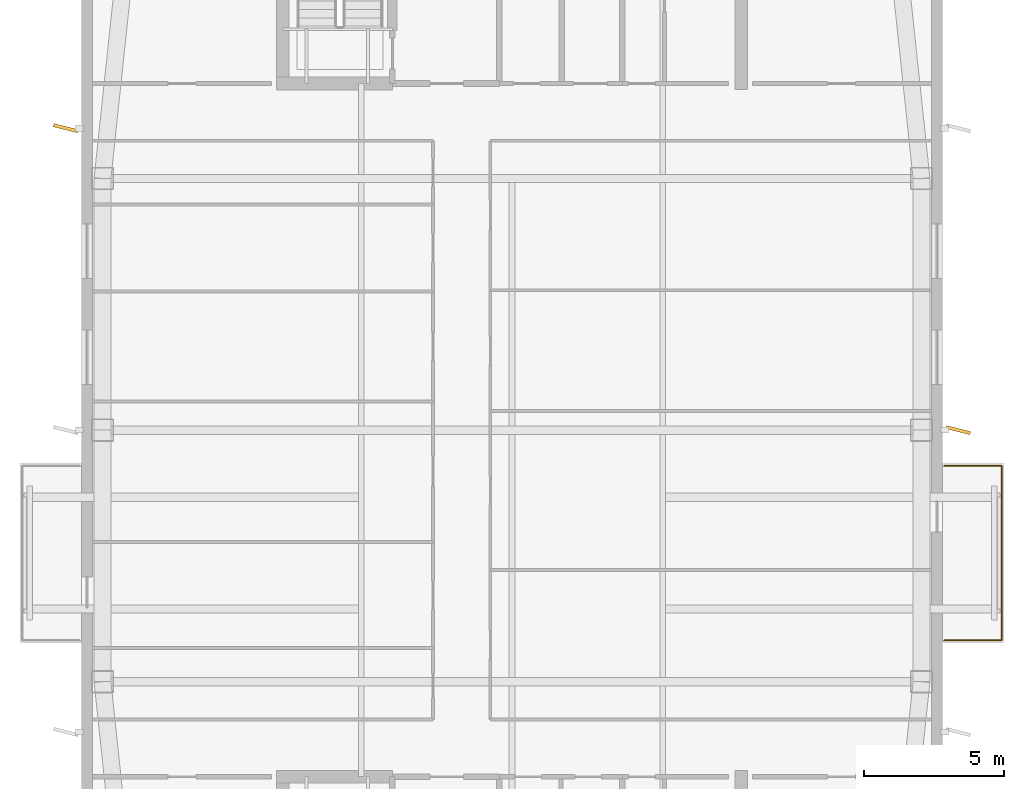
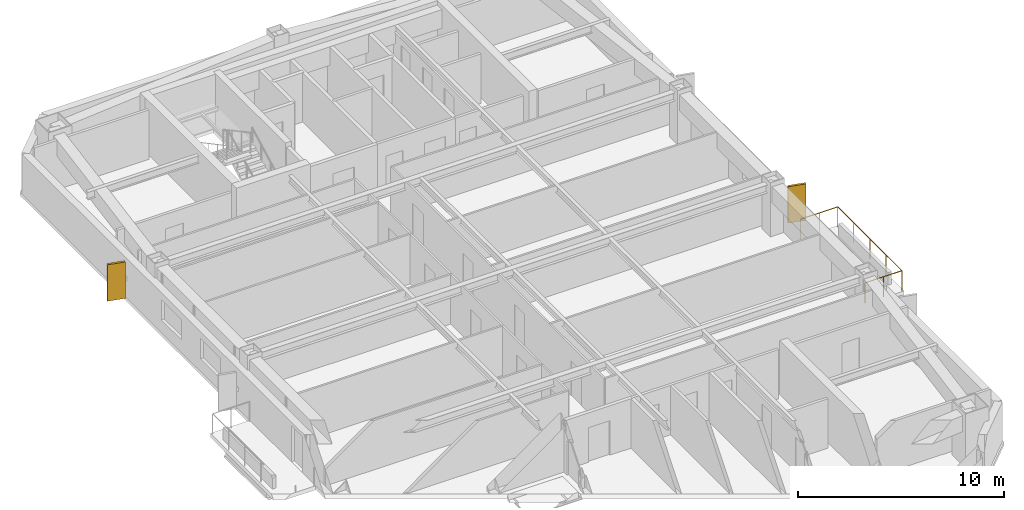
# One storey, part 6 of 7: 2 shading devices, 1 railing.
"""IFC4 building model written with IfcOpenShell, lengths in metres."""

from ifc_helpers import new_model, si_unit, direction, frame, origin, origin_2d, place, context, subcontext, project, spatial, rectangle, circle, extrude, material, layer, layer_set, type_object, element, save


model = new_model("IFC4")

# Units and contexts
model_context = context("Model", 3, precision=1e-05, world=origin(), true_north=direction((0.0, 1.0)))
body_context = subcontext(model_context, "Body", "Model", "MODEL_VIEW")
ifc_project = project(units=[si_unit("LENGTHUNIT", "METRE"), si_unit("AREAUNIT", "SQUARE_METRE"), si_unit("VOLUMEUNIT", "CUBIC_METRE"), si_unit("PLANEANGLEUNIT", "RADIAN"), si_unit("MASSUNIT", "GRAM", prefix="KILO")], contexts=[model_context])

# Site, building, storey
site_placement = place(None, origin())
site = spatial("IfcSite", under=ifc_project, at=site_placement, CompositionType="ELEMENT")
building_placement = place(site_placement, origin())
building = spatial("IfcBuilding", under=site, at=building_placement, Name="Qiaolan Cultural Towers", CompositionType="ELEMENT")
storey_placement = place(building_placement, frame((0.0, 0.0, 256.800048828125)))
storey = spatial("IfcBuildingStorey", under=building, at=storey_placement, Name="L70", CompositionType="ELEMENT", Elevation=256.800048828125)

# Railing
ifc_material_1 = material(Name="Laminated SentryGlas & Stainless Steel S31608 Balustrade", Category="steel")
railing_type = type_object("IfcRailingType", Name="GRD-TERR-1200", PredefinedType="BALUSTRADE", material=ifc_material_1)
railing_placement = place(storey_placement, frame((45.449951171875, 26.47998046875, 0.0)))
element("IfcRailing", 1, at=railing_placement, inside=storey, type_object=railing_type, Name="L70 T1 Tree Balcony Guardrail E", PredefinedType="BALUSTRADE", context=body_context, shape_type="SweptSolid", body=[
    extrude(circle(Radius=0.02392578125, at=origin_2d()), frame((0.0, 0.0, 1.17578125), z_axis=(1.0, 0.0, 0.0), x_axis=(0.0, 1.0, 0.0)), (0.0, 0.0, 1.0), 2.070068359375),
    extrude(circle(Radius=0.02392578125, at=origin_2d()), frame((2.070068359375, 0.0, 1.17578125), z_axis=(0.0, 1.0, 0.0), x_axis=(-1.0, 0.0, 0.0)), (0.0, 0.0, 1.0), 6.239990234375),
    extrude(circle(Radius=0.02392578125, at=origin_2d()), frame((2.070068359375, 6.239990234375, 1.17578125), z_axis=(-1.0, 0.0, 0.0), x_axis=(0.0, -1.0, 0.0)), (0.0, 0.0, 1.0), 2.070068359375),
    extrude(circle(Radius=0.02099609375, at=origin_2d()), origin(), (0.0, 0.0, 1.0), 1.15185546875),
    extrude(circle(Radius=0.02099609375, at=origin_2d()), frame((1.03515625, 0.0, 0.0)), (0.0, 0.0, 1.0), 1.15185546875),
    extrude(circle(Radius=0.02099609375, at=origin_2d()), frame((2.070068359375, 0.0, 0.0)), (0.0, 0.0, 1.0), 1.15185546875),
    extrude(circle(Radius=0.02099609375, at=origin_2d()), frame((2.070068359375, 1.56005859375, 0.0)), (0.0, 0.0, 1.0), 1.15185546875),
    extrude(circle(Radius=0.02099609375, at=origin_2d()), frame((2.070068359375, 3.1201171875, 0.0)), (0.0, 0.0, 1.0), 1.15185546875),
    extrude(circle(Radius=0.02099609375, at=origin_2d()), frame((2.070068359375, 4.679931640625, 0.0)), (0.0, 0.0, 1.0), 1.15185546875),
    extrude(circle(Radius=0.02099609375, at=origin_2d()), frame((2.070068359375, 6.239990234375, 0.0)), (0.0, 0.0, 1.0), 1.15185546875),
    extrude(circle(Radius=0.02099609375, at=origin_2d()), frame((1.03515625, 6.239990234375, 0.0)), (0.0, 0.0, 1.0), 1.15185546875),
    extrude(circle(Radius=0.02099609375, at=origin_2d()), frame((0.0, 6.239990234375, 0.0)), (0.0, 0.0, 1.0), 1.15185546875),
])

# Shading devices
ifc_material_2 = material(Name="Light Limestone Precast Vertical Fin", Category="masonry")
ifc_layer = layer(ifc_material_2, 0.1201171875)
ifc_layer_set = layer_set([ifc_layer], Name="Light Limestone Precast Vertical Fin")
shading_device_type = type_object("IfcShadingDeviceType", Name="SHD-FIN-WHITE", PredefinedType="USERDEFINED", material=ifc_layer_set)
for number, where, z_axis, x_axis, name in (
    (2, (14.0400390625, 44.800048828125, 0.10009765625), (0.0, 0.0, 1.0), (0.969891617581, -0.243536958479, 0.0), "L70 T1 Expressive Precast Vertical Fin W3"),
    (3, (45.9599609375, 34.0, 0.10009765625), (0.0, 0.0, 1.0), (0.969891617581, -0.243536958479, 0.0), "L70 T1 Expressive Precast Vertical Fin E2"),
):
    element("IfcShadingDevice", number, at=place(storey_placement, frame(where, z_axis=z_axis, x_axis=x_axis)), inside=storey, type_object=shading_device_type, Name=name, ObjectType="FIN", PredefinedType="USERDEFINED", context=body_context, shape_type="SweptSolid", body=[
        extrude(rectangle(XDim=0.89990234375, YDim=0.1201171875, at=origin_2d()), origin(), (0.0, 0.0, 1.0), 2.159912109375),
    ])

save(model, "model.ifc")
